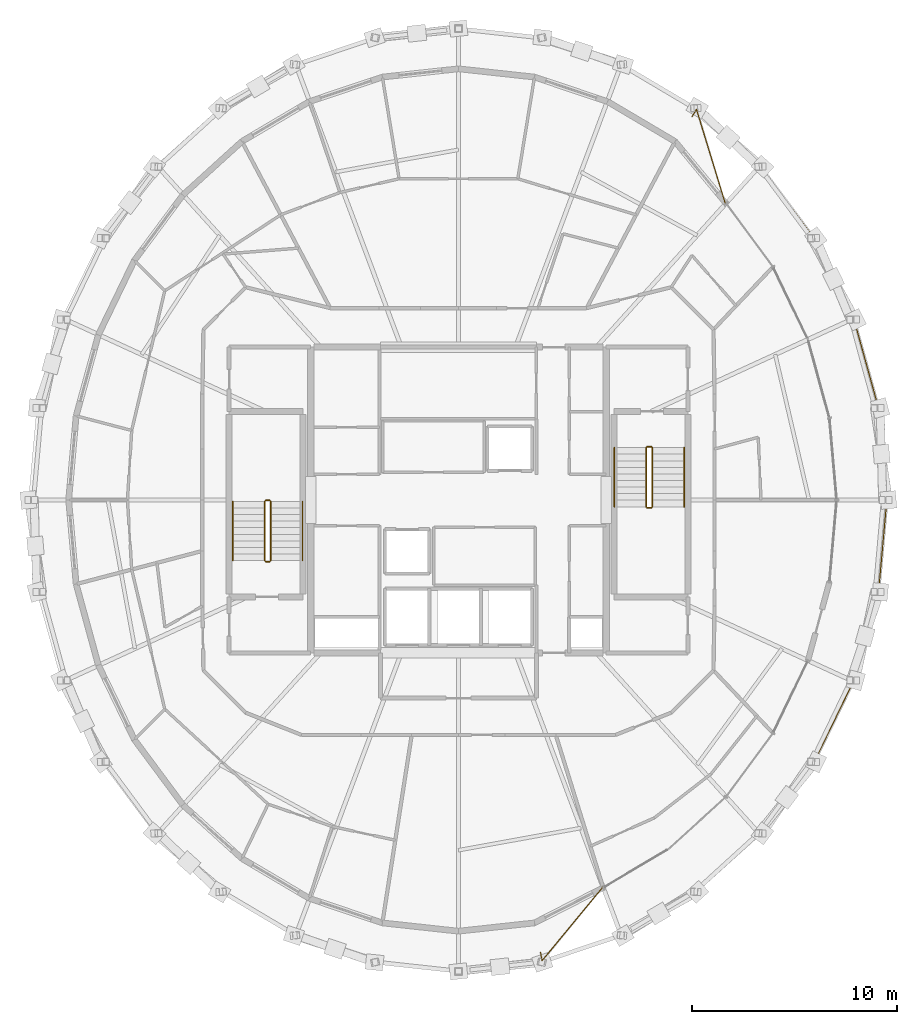
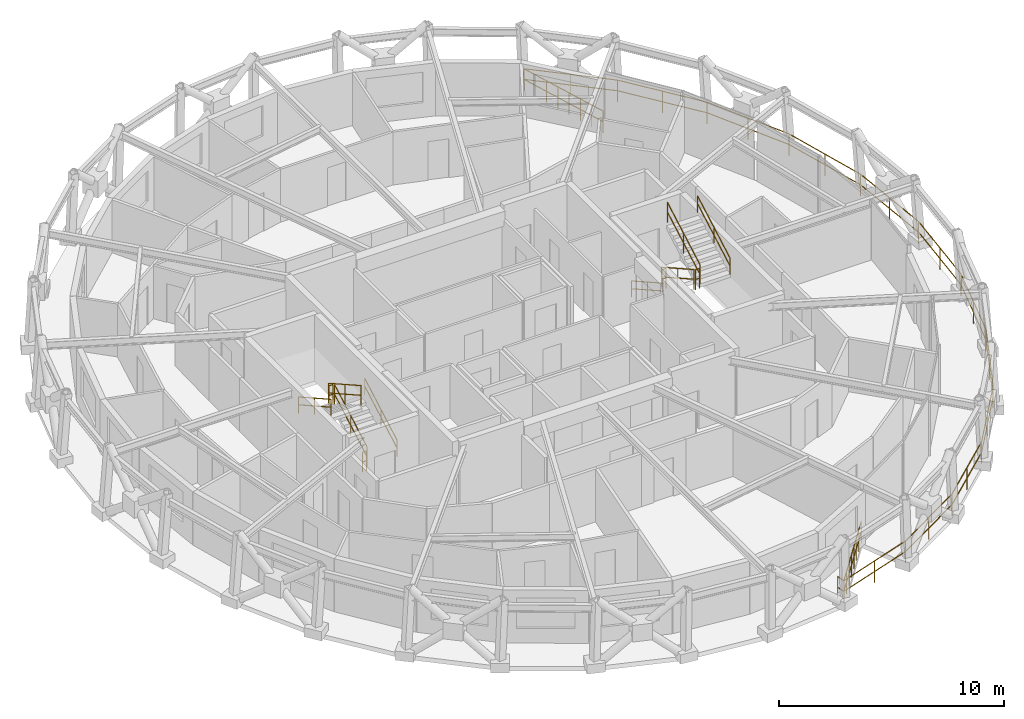
# One storey, part 15 of 15: 15 railings.
"""IFC4 building model written with IfcOpenShell, lengths in metres."""

import ifcopenshell
import ifcopenshell.guid

model = None  # the IFC model being written
_history = None  # IfcOwnerHistory: only IFC2X3 demands one
_inside = {}  # id of a spatial element -> (the spatial element, [elements in it])
_under = {}  # id of a project, library or spatial element -> (it, [spatial elements below it])
_declared = {}  # id of a project -> (the project, [libraries it declares])
_typed = {}  # id of a type object -> (the type object, [elements of that type])
_made_of = {}  # id of a material, layer set ... -> (it, [elements and type objects made of it])


def new_model(schema):
    """Start an empty IFC model of exactly this schema.

    Asked for "IFC4X3", IfcOpenShell would pick the latest addendum, in which some entities
    have other attributes; the version numbers below select the first issue.
    IFC2X3 requires an IfcOwnerHistory on every rooted entity: one is made here for all.
    """
    global model, _history
    if schema == "IFC4X3":
        model = ifcopenshell.file(schema_version=(4, 3, 0, 0))
    else:
        model = ifcopenshell.file(schema=schema)
    _inside.clear()
    _under.clear()
    _declared.clear()
    _typed.clear()
    _made_of.clear()
    _history = None
    if model.schema == "IFC2X3":
        org = make("IfcOrganization", Name="unknown")
        user = make(
            "IfcPersonAndOrganization",
            ThePerson=make("IfcPerson", FamilyName="unknown"),
            TheOrganization=org,
        )
        app = make(
            "IfcApplication",
            ApplicationDeveloper=org,
            Version="unknown",
            ApplicationFullName="unknown",
            ApplicationIdentifier="unknown",
        )
        _history = make(
            "IfcOwnerHistory",
            OwningUser=user,
            OwningApplication=app,
            ChangeAction="ADDED",
            CreationDate=0,
        )
    return model


def make(cls, **values):
    """One entity of the class cls with the attributes given. An attribute that is None is left unset."""
    return model.create_entity(
        cls, **{name: value for name, value in values.items() if value is not None}
    )


def rooted(cls, **values):
    """An entity with a GlobalId (a new one), such as an element, a storey or a relation."""
    return make(cls, GlobalId=ifcopenshell.guid.new(), OwnerHistory=_history, **values)


def si_unit(unit_type, name, prefix=None):
    """IfcSIUnit, for example si_unit("LENGTHUNIT", "METRE", prefix="MILLI")."""
    return make("IfcSIUnit", UnitType=unit_type, Prefix=prefix, Name=name)


def assignment(units):
    """IfcUnitAssignment: the units of a project."""
    return None if units is None else make("IfcUnitAssignment", Units=units)


def point(xyz):
    """IfcCartesianPoint."""
    return None if xyz is None else make("IfcCartesianPoint", Coordinates=xyz)


def direction(xyz):
    """IfcDirection."""
    return None if xyz is None else make("IfcDirection", DirectionRatios=xyz)


def frame(location, z_axis=None, x_axis=None):
    """IfcAxis2Placement3D, a coordinate frame: its origin and axes. An axis left out is left unset."""
    return make(
        "IfcAxis2Placement3D",
        Location=point(location),
        Axis=direction(z_axis),
        RefDirection=direction(x_axis),
    )


def frame_2d(location, x_axis=None):
    """IfcAxis2Placement2D, a coordinate frame in the plane: its origin and x axis."""
    return make(
        "IfcAxis2Placement2D", Location=point(location), RefDirection=direction(x_axis)
    )


def origin():
    """The frame at (0, 0, 0) with its axes left unset."""
    return frame((0.0, 0.0, 0.0))


def origin_2d():
    """The frame at (0, 0) in the plane with its x axis left unset."""
    return frame_2d((0.0, 0.0))


def place(relative_to, where):
    """IfcLocalPlacement: puts the frame where relative to a parent placement (None: the world)."""
    return make(
        "IfcLocalPlacement", PlacementRelTo=relative_to, RelativePlacement=where
    )


def context(
    kind, dimensions, precision=None, world=None, true_north=None, identifier=None
):
    """IfcGeometricRepresentationContext, for example the 3D "Model" context."""
    return make(
        "IfcGeometricRepresentationContext",
        ContextIdentifier=identifier,
        ContextType=kind,
        CoordinateSpaceDimension=dimensions,
        Precision=precision,
        WorldCoordinateSystem=world,
        TrueNorth=true_north,
    )


def subcontext(parent, identifier, kind, view, scale=None):
    """IfcGeometricRepresentationSubContext, for example "Body" below "Model"."""
    return make(
        "IfcGeometricRepresentationSubContext",
        ContextIdentifier=identifier,
        ContextType=kind,
        ParentContext=parent,
        TargetScale=scale,
        TargetView=view,
    )


def project(units=None, contexts=None):
    """IfcProject with its units and contexts."""
    return rooted(
        "IfcProject",
        Name="project",
        RepresentationContexts=contexts,
        UnitsInContext=assignment(units),
    )


def spatial(cls, under=None, at=None, **own):
    """A site, building, storey or space (cls), placed at a placement, below another one or the project."""
    s = rooted(cls, ObjectPlacement=at, **own)
    if under is not None:
        _under.setdefault(under.id(), (under, []))[1].append(s)
    return s


def profile(cls, at=None, kind="AREA", **sizes):
    """A parametric profile (cls). Its sizes go by their IFC names, for example OverallWidth=200.0."""
    return make(cls, ProfileType=kind, Position=at, **sizes)


def circle(**sizes):
    """IfcCircleProfileDef."""
    return profile("IfcCircleProfileDef", **sizes)


def extrude(swept, where, along, depth):
    """IfcExtrudedAreaSolid: the profile swept, set in the frame where, extruded along a direction by depth."""
    return make(
        "IfcExtrudedAreaSolid",
        SweptArea=swept,
        Position=where,
        ExtrudedDirection=direction(along),
        Depth=depth,
    )


def shape(context_of_items, identifier, shape_type, items):
    """IfcShapeRepresentation: the items that make up one representation, for example the "Body"."""
    return make(
        "IfcShapeRepresentation",
        ContextOfItems=context_of_items,
        RepresentationIdentifier=identifier,
        RepresentationType=shape_type,
        Items=items,
    )


def material(Name=None, Category=None):
    """IfcMaterial."""
    return make("IfcMaterial", Name=Name, Category=Category)


def made_of(thing, what):
    """Note that an element or type object is made of a material, layer set ...; save() writes the relation."""
    if what is not None:
        _made_of.setdefault(what.id(), (what, []))[1].append(thing)
    return thing


def type_object(cls, material=None, **own):
    """A type object (cls), such as IfcWallType, which elements share."""
    return made_of(rooted(cls, **own), material)


def element(
    cls,
    number,
    at=None,
    inside=None,
    cuts=None,
    type_object=None,
    material=None,
    context=None,
    identifier="Body",
    shape_type=None,
    held_by="IfcProductDefinitionShape",
    body=None,
    shapes=None,
    **own,
):
    """One element of the class cls, such as IfcWall. Its Tag is "e" and its number.

    at: its placement. inside: the storey or other place that contains it. cuts: it is an
    opening in that element (IfcRelVoidsElement). A single representation is given by context,
    identifier, shape_type and body (its items); several are given by shapes. held_by: the class
    of the entity that holds the representations. save() writes the other relations.
    """
    e = rooted(cls, Tag="e%d" % number, ObjectPlacement=at, **own)
    if body is not None:
        shapes = [shape(context, identifier, shape_type, body)]
    if shapes is not None:
        e.Representation = make(held_by, Representations=shapes)
    if inside is not None:
        _inside.setdefault(inside.id(), (inside, []))[1].append(e)
    if cuts is not None:
        rooted(
            "IfcRelVoidsElement", RelatingBuildingElement=cuts, RelatedOpeningElement=e
        )
    if type_object is not None:
        _typed.setdefault(type_object.id(), (type_object, []))[1].append(e)
    return made_of(e, material)


def aggregate(whole, parts):
    """IfcRelAggregates: a whole, such as a stair, and the parts it consists of."""
    return rooted("IfcRelAggregates", RelatingObject=whole, RelatedObjects=parts)


def save(model, path):
    """Write the relations noted so far, then the file.

    IfcRelAggregates (storeys below a building ...), IfcRelContainedInSpatialStructure (elements
    in a storey), IfcRelDefinesByType, IfcRelAssociatesMaterial and IfcRelDeclares: one each for
    every whole, place, type object, material and project.
    """
    for whole, parts in _under.values():
        aggregate(whole, parts)
    for where, things in _inside.values():
        rooted(
            "IfcRelContainedInSpatialStructure",
            RelatedElements=things,
            RelatingStructure=where,
        )
    for kind, things in _typed.values():
        rooted("IfcRelDefinesByType", RelatedObjects=things, RelatingType=kind)
    for what, things in _made_of.values():
        rooted("IfcRelAssociatesMaterial", RelatedObjects=things, RelatingMaterial=what)
    for by, libraries in _declared.values():
        rooted("IfcRelDeclares", RelatingContext=by, RelatedDefinitions=libraries)
    model.write(path)


model = new_model("IFC4")

# Units and contexts
model_context = context("Model", 3, precision=1e-05, world=origin(), true_north=direction((0.0, 1.0)))
body_context = subcontext(model_context, "Body", "Model", "MODEL_VIEW")
ifc_project = project(units=[si_unit("LENGTHUNIT", "METRE"), si_unit("AREAUNIT", "SQUARE_METRE"), si_unit("VOLUMEUNIT", "CUBIC_METRE"), si_unit("PLANEANGLEUNIT", "RADIAN"), si_unit("MASSUNIT", "GRAM", prefix="KILO")], contexts=[model_context])

# Site, building, storey
site_placement = place(None, origin())
site = spatial("IfcSite", under=ifc_project, at=site_placement, CompositionType="ELEMENT")
building_placement = place(site_placement, origin())
building = spatial("IfcBuilding", under=site, at=building_placement, Name="Veldorina Hangang Commons", CompositionType="ELEMENT")
storey_placement = place(building_placement, frame((0.0, 0.0, 276.0)))
storey = spatial("IfcBuildingStorey", under=building, at=storey_placement, Name="L72", CompositionType="ELEMENT", Elevation=276.0)

# Railings
ifc_material_1 = material(Name="Glass Laminated Safety Balustrade", Category="glass")
railing_type_1 = type_object("IfcRailingType", Name="RL-BAL-LOGGIA", PredefinedType="BALUSTRADE", material=ifc_material_1)
railing_1_placement = place(storey_placement, frame((35.998779296875, 1.960693359375, 0.0)))
element("IfcRailing", 1, at=railing_1_placement, inside=storey, type_object=railing_type_1, Name="L72 sky-garden loggia end balustrade A", PredefinedType="BALUSTRADE", context=body_context, shape_type="SweptSolid", body=[
    extrude(circle(Radius=0.02392578125, at=origin_2d()), frame((0.0, 0.0, 1.17578125), z_axis=(0.178425116693, -0.983953493684, 0.0), x_axis=(0.983953493684, 0.178425116693, 0.0)), (0.0, 0.0, 1.0), 0.420166015625),
    extrude(circle(Radius=0.02392578125, at=origin_2d()), frame((0.0, 0.0, 0.60009765625), z_axis=(0.178425116693, -0.983953493684, 0.0), x_axis=(0.983953493684, 0.178425116693, 0.0)), (0.0, 0.0, 1.0), 0.420166015625),
    extrude(circle(Radius=0.02392578125, at=origin_2d()), frame((0.074951171875, -0.413330078125, 1.17578125), z_axis=(0.636612017638, 0.771184244522, 0.0), x_axis=(-0.771184244522, 0.636612017638, 0.0)), (0.0, 0.0, 1.0), 4.66064453125),
    extrude(circle(Radius=0.02392578125, at=origin_2d()), frame((0.074951171875, -0.413330078125, 0.60009765625), z_axis=(0.636612017638, 0.771184244522, 0.0), x_axis=(-0.771184244522, 0.636612017638, 0.0)), (0.0, 0.0, 1.0), 4.66064453125),
    extrude(circle(Radius=0.02099609375, at=origin_2d()), origin(), (0.0, 0.0, 1.0), 1.15185546875),
    extrude(circle(Radius=0.02099609375, at=origin_2d()), frame((0.074951171875, -0.413330078125, 0.0)), (0.0, 0.0, 1.0), 1.15185546875),
    extrude(circle(Radius=0.02099609375, at=origin_2d()), frame((0.498779296875, 0.10009765625, 0.0)), (0.0, 0.0, 1.0), 1.15185546875),
    extrude(circle(Radius=0.02099609375, at=origin_2d()), frame((0.922607421875, 0.613525390625, 0.0)), (0.0, 0.0, 1.0), 1.15185546875),
    extrude(circle(Radius=0.02099609375, at=origin_2d()), frame((1.346435546875, 1.126953125, 0.0)), (0.0, 0.0, 1.0), 1.15185546875),
    extrude(circle(Radius=0.02099609375, at=origin_2d()), frame((1.7705078125, 1.640625, 0.0)), (0.0, 0.0, 1.0), 1.15185546875),
    extrude(circle(Radius=0.02099609375, at=origin_2d()), frame((2.1943359375, 2.154052734375, 0.0)), (0.0, 0.0, 1.0), 1.15185546875),
    extrude(circle(Radius=0.02099609375, at=origin_2d()), frame((2.6181640625, 2.66748046875, 0.0)), (0.0, 0.0, 1.0), 1.15185546875),
    extrude(circle(Radius=0.02099609375, at=origin_2d()), frame((3.0419921875, 3.180908203125, 0.0)), (0.0, 0.0, 1.0), 1.15185546875),
])
railing_2_placement = place(storey_placement, frame((43.381591796875, 42.67431640625, 0.0)))
element("IfcRailing", 2, at=railing_2_placement, inside=storey, type_object=railing_type_1, Name="L72 sky-garden loggia end balustrade B", PredefinedType="BALUSTRADE", context=body_context, shape_type="SweptSolid", body=[
    extrude(circle(Radius=0.02392578125, at=origin_2d()), frame((0.0, 0.0, 1.17578125), z_axis=(0.520979543394, 0.853569162614, 0.0), x_axis=(-0.853569162614, 0.520979543394, 0.0)), (0.0, 0.0, 1.0), 0.419921875),
    extrude(circle(Radius=0.02392578125, at=origin_2d()), frame((0.0, 0.0, 0.60009765625), z_axis=(0.520979543394, 0.853569162614, 0.0), x_axis=(-0.853569162614, 0.520979543394, 0.0)), (0.0, 0.0, 1.0), 0.419921875),
    extrude(circle(Radius=0.02392578125, at=origin_2d()), frame((0.21875, 0.3583984375, 1.17578125), z_axis=(0.292716165975, -0.956199375746, 0.0), x_axis=(0.956199375746, 0.292716165975, 0.0)), (0.0, 0.0, 1.0), 4.810791015625),
    extrude(circle(Radius=0.02392578125, at=origin_2d()), frame((0.21875, 0.3583984375, 0.60009765625), z_axis=(0.292716165975, -0.956199375746, 0.0), x_axis=(0.956199375746, 0.292716165975, 0.0)), (0.0, 0.0, 1.0), 4.810791015625),
    extrude(circle(Radius=0.02099609375, at=origin_2d()), origin(), (0.0, 0.0, 1.0), 1.15185546875),
    extrude(circle(Radius=0.02099609375, at=origin_2d()), frame((0.21875, 0.3583984375, 0.0)), (0.0, 0.0, 1.0), 1.15185546875),
    extrude(circle(Radius=0.02099609375, at=origin_2d()), frame((0.419921875, -0.298828125, 0.0)), (0.0, 0.0, 1.0), 1.15185546875),
    extrude(circle(Radius=0.02099609375, at=origin_2d()), frame((0.62109375, -0.955810546875, 0.0)), (0.0, 0.0, 1.0), 1.15185546875),
    extrude(circle(Radius=0.02099609375, at=origin_2d()), frame((0.822265625, -1.613037109375, 0.0)), (0.0, 0.0, 1.0), 1.15185546875),
    extrude(circle(Radius=0.02099609375, at=origin_2d()), frame((1.0234375, -2.270263671875, 0.0)), (0.0, 0.0, 1.0), 1.15185546875),
    extrude(circle(Radius=0.02099609375, at=origin_2d()), frame((1.224609375, -2.927490234375, 0.0)), (0.0, 0.0, 1.0), 1.15185546875),
    extrude(circle(Radius=0.02099609375, at=origin_2d()), frame((1.42578125, -3.58447265625, 0.0)), (0.0, 0.0, 1.0), 1.15185546875),
    extrude(circle(Radius=0.02099609375, at=origin_2d()), frame((1.626953125, -4.24169921875, 0.0)), (0.0, 0.0, 1.0), 1.15185546875),
])
railing_3_placement = place(storey_placement, frame((36.07373046875, 1.54736328125, 0.0)))
element("IfcRailing", 3, at=railing_3_placement, inside=storey, type_object=railing_type_1, Name="L72 sky-garden loggia outer balustrade", PredefinedType="BALUSTRADE", context=body_context, shape_type="SweptSolid", body=[
    extrude(circle(Radius=0.02392578125, at=origin_2d()), frame((0.0, 0.0, 1.17578125), z_axis=(0.948842855224, 0.315748691351, 0.0), x_axis=(-0.315748691351, 0.948842855224, 0.0)), (0.0, 0.0, 1.0), 4.128173828125),
    extrude(circle(Radius=0.02392578125, at=origin_2d()), frame((0.0, 0.0, 0.60009765625), z_axis=(0.948842855224, 0.315748691351, 0.0), x_axis=(-0.315748691351, 0.948842855224, 0.0)), (0.0, 0.0, 1.0), 4.128173828125),
    extrude(circle(Radius=0.02392578125, at=origin_2d()), frame((3.9169921875, 1.303466796875, 1.17578125), z_axis=(0.862648810626, 0.505803350647, 0.0), x_axis=(-0.505803350647, 0.862648810626, 0.0)), (0.0, 0.0, 1.0), 4.184326171875),
    extrude(circle(Radius=0.02392578125, at=origin_2d()), frame((3.9169921875, 1.303466796875, 0.60009765625), z_axis=(0.862648810626, 0.505803350647, 0.0), x_axis=(-0.505803350647, 0.862648810626, 0.0)), (0.0, 0.0, 1.0), 4.184326171875),
    extrude(circle(Radius=0.02392578125, at=origin_2d()), frame((7.526611328125, 3.419921875, 1.17578125), z_axis=(0.743191455045, 0.669078815348, 0.0), x_axis=(-0.669078815348, 0.743191455045, 0.0)), (0.0, 0.0, 1.0), 4.256103515625),
    extrude(circle(Radius=0.02392578125, at=origin_2d()), frame((7.526611328125, 3.419921875, 0.60009765625), z_axis=(0.743191455045, 0.669078815348, 0.0), x_axis=(-0.669078815348, 0.743191455045, 0.0)), (0.0, 0.0, 1.0), 4.256103515625),
    extrude(circle(Radius=0.02392578125, at=origin_2d()), frame((10.689697265625, 6.267578125, 1.17578125), z_axis=(0.599016868937, 0.800736405273, 0.0), x_axis=(-0.800736405273, 0.599016868937, 0.0)), (0.0, 0.0, 1.0), 4.332763671875),
    extrude(circle(Radius=0.02392578125, at=origin_2d()), frame((10.689697265625, 6.267578125, 0.60009765625), z_axis=(0.599016868937, 0.800736405273, 0.0), x_axis=(-0.800736405273, 0.599016868937, 0.0)), (0.0, 0.0, 1.0), 4.332763671875),
    extrude(circle(Radius=0.02392578125, at=origin_2d()), frame((13.28515625, 9.737060546875, 1.17578125), z_axis=(0.438028036158, 0.898961311481, 0.0), x_axis=(-0.898961311481, 0.438028036158, 0.0)), (0.0, 0.0, 1.0), 4.402099609375),
    extrude(circle(Radius=0.02392578125, at=origin_2d()), frame((13.28515625, 9.737060546875, 0.60009765625), z_axis=(0.438028036158, 0.898961311481, 0.0), x_axis=(-0.898961311481, 0.438028036158, 0.0)), (0.0, 0.0, 1.0), 4.402099609375),
    extrude(circle(Radius=0.02392578125, at=origin_2d()), frame((15.21337890625, 13.6943359375, 1.17578125), z_axis=(0.2664733957, 0.963842274122, 0.0), x_axis=(-0.963842274122, 0.2664733957, 0.0)), (0.0, 0.0, 1.0), 4.45458984375),
    extrude(circle(Radius=0.02392578125, at=origin_2d()), frame((15.21337890625, 13.6943359375, 0.60009765625), z_axis=(0.2664733957, 0.963842274122, 0.0), x_axis=(-0.963842274122, 0.2664733957, 0.0)), (0.0, 0.0, 1.0), 4.45458984375),
    extrude(circle(Radius=0.02392578125, at=origin_2d()), frame((16.400390625, 17.98779296875, 1.17578125), z_axis=(0.089425923424, 0.995993475993, 0.0), x_axis=(-0.995993475993, 0.089425923424, 0.0)), (0.0, 0.0, 1.0), 4.48291015625),
    extrude(circle(Radius=0.02392578125, at=origin_2d()), frame((16.400390625, 17.98779296875, 0.60009765625), z_axis=(0.089425923424, 0.995993475993, 0.0), x_axis=(-0.995993475993, 0.089425923424, 0.0)), (0.0, 0.0, 1.0), 4.48291015625),
    extrude(circle(Radius=0.02392578125, at=origin_2d()), frame((16.80126953125, 22.45263671875, 1.17578125), z_axis=(-0.089425923424, 0.995993475993, 0.0), x_axis=(-0.995993475993, -0.089425923424, 0.0)), (0.0, 0.0, 1.0), 4.48291015625),
    extrude(circle(Radius=0.02392578125, at=origin_2d()), frame((16.80126953125, 22.45263671875, 0.60009765625), z_axis=(-0.089425923424, 0.995993475993, 0.0), x_axis=(-0.995993475993, -0.089425923424, 0.0)), (0.0, 0.0, 1.0), 4.48291015625),
    extrude(circle(Radius=0.02392578125, at=origin_2d()), frame((16.400390625, 26.91748046875, 1.17578125), z_axis=(-0.2664733957, 0.963842274122, 0.0), x_axis=(-0.963842274122, -0.2664733957, 0.0)), (0.0, 0.0, 1.0), 4.45458984375),
    extrude(circle(Radius=0.02392578125, at=origin_2d()), frame((16.400390625, 26.91748046875, 0.60009765625), z_axis=(-0.2664733957, 0.963842274122, 0.0), x_axis=(-0.963842274122, -0.2664733957, 0.0)), (0.0, 0.0, 1.0), 4.45458984375),
    extrude(circle(Radius=0.02392578125, at=origin_2d()), frame((15.21337890625, 31.2109375, 1.17578125), z_axis=(-0.438028036158, 0.898961311481, 0.0), x_axis=(-0.898961311481, -0.438028036158, 0.0)), (0.0, 0.0, 1.0), 4.402099609375),
    extrude(circle(Radius=0.02392578125, at=origin_2d()), frame((15.21337890625, 31.2109375, 0.60009765625), z_axis=(-0.438028036158, 0.898961311481, 0.0), x_axis=(-0.898961311481, -0.438028036158, 0.0)), (0.0, 0.0, 1.0), 4.402099609375),
    extrude(circle(Radius=0.02392578125, at=origin_2d()), frame((13.28515625, 35.168212890625, 1.17578125), z_axis=(-0.599016868937, 0.800736405273, 0.0), x_axis=(-0.800736405273, -0.599016868937, 0.0)), (0.0, 0.0, 1.0), 4.332763671875),
    extrude(circle(Radius=0.02392578125, at=origin_2d()), frame((13.28515625, 35.168212890625, 0.60009765625), z_axis=(-0.599016868937, 0.800736405273, 0.0), x_axis=(-0.800736405273, -0.599016868937, 0.0)), (0.0, 0.0, 1.0), 4.332763671875),
    extrude(circle(Radius=0.02392578125, at=origin_2d()), frame((10.689697265625, 38.6376953125, 1.17578125), z_axis=(-0.743191455045, 0.669078815348, 0.0), x_axis=(-0.669078815348, -0.743191455045, 0.0)), (0.0, 0.0, 1.0), 4.256103515625),
    extrude(circle(Radius=0.02392578125, at=origin_2d()), frame((10.689697265625, 38.6376953125, 0.60009765625), z_axis=(-0.743191455045, 0.669078815348, 0.0), x_axis=(-0.669078815348, -0.743191455045, 0.0)), (0.0, 0.0, 1.0), 4.256103515625),
    extrude(circle(Radius=0.02099609375, at=origin_2d()), origin(), (0.0, 0.0, 1.0), 1.15185546875),
    extrude(circle(Radius=0.02099609375, at=origin_2d()), frame((1.95849609375, 0.65185546875, 0.0)), (0.0, 0.0, 1.0), 1.15185546875),
    extrude(circle(Radius=0.02099609375, at=origin_2d()), frame((3.9169921875, 1.303466796875, 0.0)), (0.0, 0.0, 1.0), 1.15185546875),
    extrude(circle(Radius=0.02099609375, at=origin_2d()), frame((5.7216796875, 2.36181640625, 0.0)), (0.0, 0.0, 1.0), 1.15185546875),
    extrude(circle(Radius=0.02099609375, at=origin_2d()), frame((7.526611328125, 3.419921875, 0.0)), (0.0, 0.0, 1.0), 1.15185546875),
    extrude(circle(Radius=0.02099609375, at=origin_2d()), frame((9.108154296875, 4.84375, 0.0)), (0.0, 0.0, 1.0), 1.15185546875),
    extrude(circle(Radius=0.02099609375, at=origin_2d()), frame((10.689697265625, 6.267578125, 0.0)), (0.0, 0.0, 1.0), 1.15185546875),
    extrude(circle(Radius=0.02099609375, at=origin_2d()), frame((11.9873046875, 8.00244140625, 0.0)), (0.0, 0.0, 1.0), 1.15185546875),
    extrude(circle(Radius=0.02099609375, at=origin_2d()), frame((13.28515625, 9.737060546875, 0.0)), (0.0, 0.0, 1.0), 1.15185546875),
    extrude(circle(Radius=0.02099609375, at=origin_2d()), frame((14.249267578125, 11.7158203125, 0.0)), (0.0, 0.0, 1.0), 1.15185546875),
    extrude(circle(Radius=0.02099609375, at=origin_2d()), frame((15.21337890625, 13.6943359375, 0.0)), (0.0, 0.0, 1.0), 1.15185546875),
    extrude(circle(Radius=0.02099609375, at=origin_2d()), frame((15.806884765625, 15.841064453125, 0.0)), (0.0, 0.0, 1.0), 1.15185546875),
    extrude(circle(Radius=0.02099609375, at=origin_2d()), frame((16.400390625, 17.98779296875, 0.0)), (0.0, 0.0, 1.0), 1.15185546875),
    extrude(circle(Radius=0.02099609375, at=origin_2d()), frame((16.600830078125, 20.22021484375, 0.0)), (0.0, 0.0, 1.0), 1.15185546875),
    extrude(circle(Radius=0.02099609375, at=origin_2d()), frame((16.80126953125, 22.45263671875, 0.0)), (0.0, 0.0, 1.0), 1.15185546875),
    extrude(circle(Radius=0.02099609375, at=origin_2d()), frame((16.600830078125, 24.68505859375, 0.0)), (0.0, 0.0, 1.0), 1.15185546875),
    extrude(circle(Radius=0.02099609375, at=origin_2d()), frame((16.400390625, 26.91748046875, 0.0)), (0.0, 0.0, 1.0), 1.15185546875),
    extrude(circle(Radius=0.02099609375, at=origin_2d()), frame((15.806884765625, 29.064208984375, 0.0)), (0.0, 0.0, 1.0), 1.15185546875),
    extrude(circle(Radius=0.02099609375, at=origin_2d()), frame((15.21337890625, 31.2109375, 0.0)), (0.0, 0.0, 1.0), 1.15185546875),
    extrude(circle(Radius=0.02099609375, at=origin_2d()), frame((14.249267578125, 33.189453125, 0.0)), (0.0, 0.0, 1.0), 1.15185546875),
    extrude(circle(Radius=0.02099609375, at=origin_2d()), frame((13.28515625, 35.168212890625, 0.0)), (0.0, 0.0, 1.0), 1.15185546875),
    extrude(circle(Radius=0.02099609375, at=origin_2d()), frame((11.9873046875, 36.90283203125, 0.0)), (0.0, 0.0, 1.0), 1.15185546875),
    extrude(circle(Radius=0.02099609375, at=origin_2d()), frame((10.689697265625, 38.6376953125, 0.0)), (0.0, 0.0, 1.0), 1.15185546875),
    extrude(circle(Radius=0.02099609375, at=origin_2d()), frame((9.108154296875, 40.0615234375, 0.0)), (0.0, 0.0, 1.0), 1.15185546875),
    extrude(circle(Radius=0.02099609375, at=origin_2d()), frame((7.526611328125, 41.4853515625, 0.0)), (0.0, 0.0, 1.0), 1.15185546875),
])
ifc_material_2 = material(Name="Steel Painted Balustrade", Category="steel")
railing_type_2 = type_object("IfcRailingType", Name="RL-GRD-STAIR", PredefinedType="GUARDRAIL", material=ifc_material_2)
railing_4_placement = place(storey_placement, frame((22.85009765625, 21.050048828125, 0.179931640625)))
element("IfcRailing", 4, at=railing_4_placement, inside=storey, type_object=railing_type_2, Name="L72 ST-1 stair guard 1", PredefinedType="GUARDRAIL", context=body_context, shape_type="SweptSolid", body=[
    extrude(circle(Radius=0.02392578125, at=origin_2d()), frame((0.0, 0.0, 1.076171875), z_axis=(0.0, 0.87155185771, 0.490303333991), x_axis=(-1.0, 0.0, 0.0)), (0.0, 0.0, 1.0), 3.30419921875),
    extrude(circle(Radius=0.02392578125, at=origin_2d()), frame((0.0, 0.0, 0.550048828125), z_axis=(0.0, 0.87155185771, 0.490303333991), x_axis=(-1.0, 0.0, 0.0)), (0.0, 0.0, 1.0), 3.30419921875),
    extrude(circle(Radius=0.02099609375, at=origin_2d()), origin(), (0.0, 0.0, 1.0), 1.052001953125),
    extrude(circle(Radius=0.02099609375, at=origin_2d()), frame((0.0, 1.43994140625, 0.81005859375)), (0.0, 0.0, 1.0), 1.052001953125),
    extrude(circle(Radius=0.02099609375, at=origin_2d()), frame((0.0, 2.8798828125, 1.6201171875)), (0.0, 0.0, 1.0), 1.052001953125),
])
railing_5_placement = place(storey_placement, frame((22.800048828125, 23.97998046875, 1.800048828125)))
element("IfcRailing", 5, at=railing_5_placement, inside=storey, type_object=railing_type_2, Name="L72 ST-1 stair guard 2", PredefinedType="GUARDRAIL", context=body_context, shape_type="SweptSolid", body=[
    extrude(circle(Radius=0.02392578125, at=origin_2d()), frame((0.0, 0.0, 1.076171875), z_axis=(-1.0, 0.0, 0.0), x_axis=(0.0, -1.0, 0.0)), (0.0, 0.0, 1.0), 0.199951171875),
    extrude(circle(Radius=0.02392578125, at=origin_2d()), frame((0.0, 0.0, 0.550048828125), z_axis=(-1.0, 0.0, 0.0), x_axis=(0.0, -1.0, 0.0)), (0.0, 0.0, 1.0), 0.199951171875),
    extrude(circle(Radius=0.02099609375, at=origin_2d()), origin(), (0.0, 0.0, 1.0), 1.052001953125),
    extrude(circle(Radius=0.02099609375, at=origin_2d()), frame((-0.199951171875, 0.0, 0.0)), (0.0, 0.0, 1.0), 1.052001953125),
])
railing_6_placement = place(storey_placement, frame((22.550048828125, 23.929931640625, 1.97998046875)))
element("IfcRailing", 6, at=railing_6_placement, inside=storey, type_object=railing_type_2, Name="L72 ST-1 stair guard 3", PredefinedType="GUARDRAIL", context=body_context, shape_type="SweptSolid", body=[
    extrude(circle(Radius=0.02392578125, at=origin_2d()), frame((0.0, 0.0, 1.076171875), z_axis=(0.0, -0.87155185771, 0.490303333991), x_axis=(1.0, 0.0, 0.0)), (0.0, 0.0, 1.0), 3.30419921875),
    extrude(circle(Radius=0.02392578125, at=origin_2d()), frame((0.0, 0.0, 0.550048828125), z_axis=(0.0, -0.87155185771, 0.490303333991), x_axis=(1.0, 0.0, 0.0)), (0.0, 0.0, 1.0), 3.30419921875),
    extrude(circle(Radius=0.02099609375, at=origin_2d()), origin(), (0.0, 0.0, 1.0), 1.052001953125),
    extrude(circle(Radius=0.02099609375, at=origin_2d()), frame((0.0, -1.43994140625, 0.81005859375)), (0.0, 0.0, 1.0), 1.052001953125),
    extrude(circle(Radius=0.02099609375, at=origin_2d()), frame((0.0, -2.8798828125, 1.6201171875)), (0.0, 0.0, 1.0), 1.052001953125),
])
railing_7_placement = place(storey_placement, frame((22.800048828125, 21.0, 0.0)))
element("IfcRailing", 7, at=railing_7_placement, inside=storey, type_object=railing_type_2, Name="L72 ST-1 stair guard 4", PredefinedType="GUARDRAIL", context=body_context, shape_type="SweptSolid", body=[
    extrude(circle(Radius=0.02392578125, at=origin_2d()), frame((0.0, 0.0, 1.076171875), z_axis=(-1.0, 0.0, 0.0), x_axis=(0.0, -1.0, 0.0)), (0.0, 0.0, 1.0), 0.199951171875),
    extrude(circle(Radius=0.02392578125, at=origin_2d()), frame((0.0, 0.0, 0.550048828125), z_axis=(-1.0, 0.0, 0.0), x_axis=(0.0, -1.0, 0.0)), (0.0, 0.0, 1.0), 0.199951171875),
    extrude(circle(Radius=0.02099609375, at=origin_2d()), origin(), (0.0, 0.0, 1.0), 1.052001953125),
    extrude(circle(Radius=0.02099609375, at=origin_2d()), frame((-0.199951171875, 0.0, 0.0)), (0.0, 0.0, 1.0), 1.052001953125),
])
railing_8_placement = place(storey_placement, frame((41.14990234375, 26.550048828125, 0.179931640625)))
element("IfcRailing", 8, at=railing_8_placement, inside=storey, type_object=railing_type_2, Name="L72 ST-2 stair guard 1", PredefinedType="GUARDRAIL", context=body_context, shape_type="SweptSolid", body=[
    extrude(circle(Radius=0.02392578125, at=origin_2d()), frame((0.0, 0.0, 1.076171875), z_axis=(0.0, -0.871569617843, 0.490271762652), x_axis=(1.0, 0.0, 0.0)), (0.0, 0.0, 1.0), 3.304443359375),
    extrude(circle(Radius=0.02392578125, at=origin_2d()), frame((0.0, 0.0, 0.550048828125), z_axis=(0.0, -0.871569617843, 0.490271762652), x_axis=(1.0, 0.0, 0.0)), (0.0, 0.0, 1.0), 3.304443359375),
    extrude(circle(Radius=0.02099609375, at=origin_2d()), origin(), (0.0, 0.0, 1.0), 1.052001953125),
    extrude(circle(Radius=0.02099609375, at=origin_2d()), frame((0.0, -1.43994140625, 0.81005859375)), (0.0, 0.0, 1.0), 1.052001953125),
    extrude(circle(Radius=0.02099609375, at=origin_2d()), frame((0.0, -2.880126953125, 1.6201171875)), (0.0, 0.0, 1.0), 1.052001953125),
])
railing_9_placement = place(storey_placement, frame((41.199951171875, 23.6201171875, 1.800048828125)))
element("IfcRailing", 9, at=railing_9_placement, inside=storey, type_object=railing_type_2, Name="L72 ST-2 stair guard 2", PredefinedType="GUARDRAIL", context=body_context, shape_type="SweptSolid", body=[
    extrude(circle(Radius=0.02392578125, at=origin_2d()), frame((0.0, 0.0, 1.076171875), z_axis=(1.0, 0.0, 0.0), x_axis=(0.0, 1.0, 0.0)), (0.0, 0.0, 1.0), 0.199951171875),
    extrude(circle(Radius=0.02392578125, at=origin_2d()), frame((0.0, 0.0, 0.550048828125), z_axis=(1.0, 0.0, 0.0), x_axis=(0.0, 1.0, 0.0)), (0.0, 0.0, 1.0), 0.199951171875),
    extrude(circle(Radius=0.02099609375, at=origin_2d()), origin(), (0.0, 0.0, 1.0), 1.052001953125),
    extrude(circle(Radius=0.02099609375, at=origin_2d()), frame((0.199951171875, 0.0, 0.0)), (0.0, 0.0, 1.0), 1.052001953125),
])
railing_10_placement = place(storey_placement, frame((41.449951171875, 23.669921875, 1.97998046875)))
element("IfcRailing", 10, at=railing_10_placement, inside=storey, type_object=railing_type_2, Name="L72 ST-2 stair guard 3", PredefinedType="GUARDRAIL", context=body_context, shape_type="SweptSolid", body=[
    extrude(circle(Radius=0.02392578125, at=origin_2d()), frame((0.0, 0.0, 1.076171875), z_axis=(0.0, 0.871569617843, 0.490271762652), x_axis=(-1.0, 0.0, 0.0)), (0.0, 0.0, 1.0), 3.304443359375),
    extrude(circle(Radius=0.02392578125, at=origin_2d()), frame((0.0, 0.0, 0.550048828125), z_axis=(0.0, 0.871569617843, 0.490271762652), x_axis=(-1.0, 0.0, 0.0)), (0.0, 0.0, 1.0), 3.304443359375),
    extrude(circle(Radius=0.02099609375, at=origin_2d()), origin(), (0.0, 0.0, 1.0), 1.052001953125),
    extrude(circle(Radius=0.02099609375, at=origin_2d()), frame((0.0, 1.43994140625, 0.81005859375)), (0.0, 0.0, 1.0), 1.052001953125),
    extrude(circle(Radius=0.02099609375, at=origin_2d()), frame((0.0, 2.880126953125, 1.6201171875)), (0.0, 0.0, 1.0), 1.052001953125),
])
railing_11_placement = place(storey_placement, frame((41.199951171875, 26.60009765625, 0.0)))
element("IfcRailing", 11, at=railing_11_placement, inside=storey, type_object=railing_type_2, Name="L72 ST-2 stair guard 4", PredefinedType="GUARDRAIL", context=body_context, shape_type="SweptSolid", body=[
    extrude(circle(Radius=0.02392578125, at=origin_2d()), frame((0.0, 0.0, 1.076171875), z_axis=(1.0, 0.0, 0.0), x_axis=(0.0, 1.0, 0.0)), (0.0, 0.0, 1.0), 0.199951171875),
    extrude(circle(Radius=0.02392578125, at=origin_2d()), frame((0.0, 0.0, 0.550048828125), z_axis=(1.0, 0.0, 0.0), x_axis=(0.0, 1.0, 0.0)), (0.0, 0.0, 1.0), 0.199951171875),
    extrude(circle(Radius=0.02099609375, at=origin_2d()), origin(), (0.0, 0.0, 1.0), 1.052001953125),
    extrude(circle(Radius=0.02099609375, at=origin_2d()), frame((0.199951171875, 0.0, 0.0)), (0.0, 0.0, 1.0), 1.052001953125),
])
ifc_material_3 = material(Name="Stainless Steel Brushed 316", Category="steel")
railing_type_3 = type_object("IfcRailingType", Name="RL-HND-STAIR", PredefinedType="HANDRAIL", material=ifc_material_3)
railing_12_placement = place(storey_placement, frame((24.39990234375, 21.050048828125, 0.179931640625)))
element("IfcRailing", 12, at=railing_12_placement, inside=storey, type_object=railing_type_3, Name="L72 ST-1 stair handrail 1", PredefinedType="HANDRAIL", context=body_context, shape_type="SweptSolid", body=[
    extrude(circle(Radius=0.02392578125, at=origin_2d()), frame((0.0, 0.0, 0.8759765625), z_axis=(0.0, 0.87155185771, 0.490303333991), x_axis=(-1.0, 0.0, 0.0)), (0.0, 0.0, 1.0), 3.30419921875),
    extrude(circle(Radius=0.02392578125, at=origin_2d()), frame((0.0, 0.0, 0.449951171875), z_axis=(0.0, 0.87155185771, 0.490303333991), x_axis=(-1.0, 0.0, 0.0)), (0.0, 0.0, 1.0), 3.30419921875),
    extrude(circle(Radius=0.02099609375, at=origin_2d()), origin(), (0.0, 0.0, 1.0), 0.851806640625),
    extrude(circle(Radius=0.02099609375, at=origin_2d()), frame((0.0, 1.43994140625, 0.81005859375)), (0.0, 0.0, 1.0), 0.851806640625),
    extrude(circle(Radius=0.02099609375, at=origin_2d()), frame((0.0, 2.8798828125, 1.6201171875)), (0.0, 0.0, 1.0), 0.851806640625),
])
railing_13_placement = place(storey_placement, frame((21.0, 23.929931640625, 1.97998046875)))
element("IfcRailing", 13, at=railing_13_placement, inside=storey, type_object=railing_type_3, Name="L72 ST-1 stair handrail 2", PredefinedType="HANDRAIL", context=body_context, shape_type="SweptSolid", body=[
    extrude(circle(Radius=0.02392578125, at=origin_2d()), frame((0.0, 0.0, 0.8759765625), z_axis=(0.0, -0.87155185771, 0.490303333991), x_axis=(1.0, 0.0, 0.0)), (0.0, 0.0, 1.0), 3.30419921875),
    extrude(circle(Radius=0.02392578125, at=origin_2d()), frame((0.0, 0.0, 0.449951171875), z_axis=(0.0, -0.87155185771, 0.490303333991), x_axis=(1.0, 0.0, 0.0)), (0.0, 0.0, 1.0), 3.30419921875),
    extrude(circle(Radius=0.02099609375, at=origin_2d()), origin(), (0.0, 0.0, 1.0), 0.851806640625),
    extrude(circle(Radius=0.02099609375, at=origin_2d()), frame((0.0, -1.43994140625, 0.81005859375)), (0.0, 0.0, 1.0), 0.851806640625),
    extrude(circle(Radius=0.02099609375, at=origin_2d()), frame((0.0, -2.8798828125, 1.6201171875)), (0.0, 0.0, 1.0), 0.851806640625),
])
railing_14_placement = place(storey_placement, frame((39.60009765625, 26.550048828125, 0.179931640625)))
element("IfcRailing", 14, at=railing_14_placement, inside=storey, type_object=railing_type_3, Name="L72 ST-2 stair handrail 1", PredefinedType="HANDRAIL", context=body_context, shape_type="SweptSolid", body=[
    extrude(circle(Radius=0.02392578125, at=origin_2d()), frame((0.0, 0.0, 0.8759765625), z_axis=(0.0, -0.871569617843, 0.490271762652), x_axis=(1.0, 0.0, 0.0)), (0.0, 0.0, 1.0), 3.304443359375),
    extrude(circle(Radius=0.02392578125, at=origin_2d()), frame((0.0, 0.0, 0.449951171875), z_axis=(0.0, -0.871569617843, 0.490271762652), x_axis=(1.0, 0.0, 0.0)), (0.0, 0.0, 1.0), 3.304443359375),
    extrude(circle(Radius=0.02099609375, at=origin_2d()), origin(), (0.0, 0.0, 1.0), 0.851806640625),
    extrude(circle(Radius=0.02099609375, at=origin_2d()), frame((0.0, -1.43994140625, 0.81005859375)), (0.0, 0.0, 1.0), 0.851806640625),
    extrude(circle(Radius=0.02099609375, at=origin_2d()), frame((0.0, -2.880126953125, 1.6201171875)), (0.0, 0.0, 1.0), 0.851806640625),
])
railing_15_placement = place(storey_placement, frame((43.0, 23.669921875, 1.97998046875)))
element("IfcRailing", 15, at=railing_15_placement, inside=storey, type_object=railing_type_3, Name="L72 ST-2 stair handrail 2", PredefinedType="HANDRAIL", context=body_context, shape_type="SweptSolid", body=[
    extrude(circle(Radius=0.02392578125, at=origin_2d()), frame((0.0, 0.0, 0.8759765625), z_axis=(0.0, 0.871569617843, 0.490271762652), x_axis=(-1.0, 0.0, 0.0)), (0.0, 0.0, 1.0), 3.304443359375),
    extrude(circle(Radius=0.02392578125, at=origin_2d()), frame((0.0, 0.0, 0.449951171875), z_axis=(0.0, 0.871569617843, 0.490271762652), x_axis=(-1.0, 0.0, 0.0)), (0.0, 0.0, 1.0), 3.304443359375),
    extrude(circle(Radius=0.02099609375, at=origin_2d()), origin(), (0.0, 0.0, 1.0), 0.851806640625),
    extrude(circle(Radius=0.02099609375, at=origin_2d()), frame((0.0, 1.43994140625, 0.81005859375)), (0.0, 0.0, 1.0), 0.851806640625),
    extrude(circle(Radius=0.02099609375, at=origin_2d()), frame((0.0, 2.880126953125, 1.6201171875)), (0.0, 0.0, 1.0), 0.851806640625),
])

save(model, "model.ifc")
